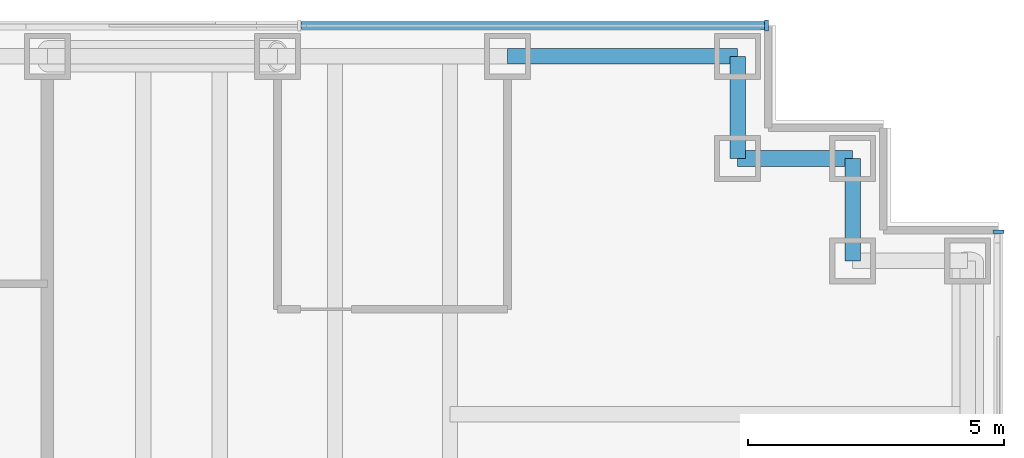
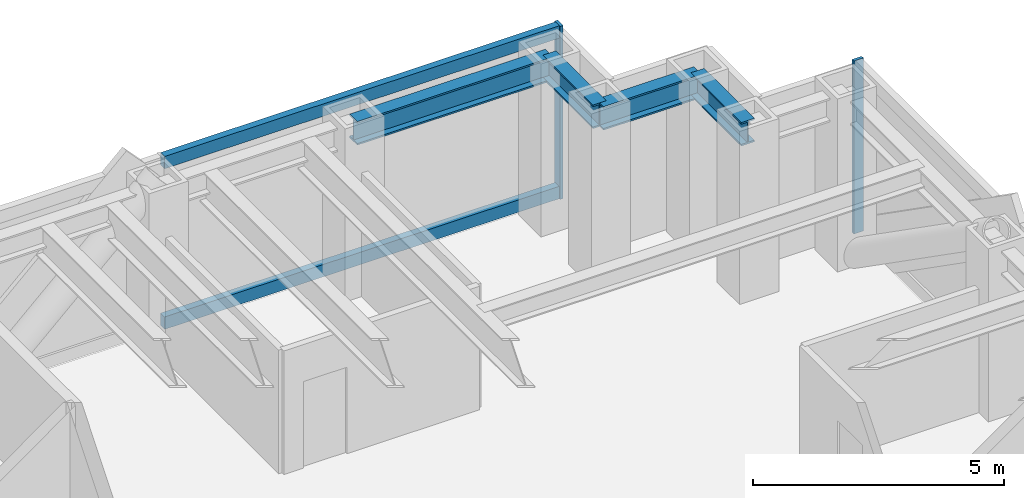
# One storey, part 9 of 15: 4 beams, 4 members, 2 elements without a shape of their own.
"""IFC4 building model written with IfcOpenShell, lengths in metres."""

from ifc_helpers import new_model, si_unit, direction, frame, origin, origin_2d, place, context, subcontext, project, spatial, rectangle, i_section, extrude, material, material_profile, profile_set, type_object, element, aggregate, save


model = new_model("IFC4")

# Units and contexts
model_context = context("Model", 3, precision=1e-05, world=origin(), true_north=direction((0.0, 1.0)))
body_context = subcontext(model_context, "Body", "Model", "MODEL_VIEW")
ifc_project = project(units=[si_unit("LENGTHUNIT", "METRE"), si_unit("AREAUNIT", "SQUARE_METRE"), si_unit("VOLUMEUNIT", "CUBIC_METRE"), si_unit("PLANEANGLEUNIT", "RADIAN"), si_unit("MASSUNIT", "GRAM", prefix="KILO")], contexts=[model_context])

# Site, building, storey
site_placement = place(None, origin())
site = spatial("IfcSite", under=ifc_project, at=site_placement, CompositionType="ELEMENT")
building_placement = place(site_placement, origin())
building = spatial("IfcBuilding", under=site, at=building_placement, Name="Rheinbord Bourse Tower", CompositionType="ELEMENT")
storey_placement = place(building_placement, frame((0.0, 0.0, 142.5)))
storey = spatial("IfcBuildingStorey", under=building, at=storey_placement, Name="L31", CompositionType="ELEMENT", Elevation=142.5)

# Curtain wall, member
ifc_material_1 = material(Name="Dark glass and black aluminium", Category="aluminium")
curtain_wall_type = type_object("IfcCurtainWallType", Name="CW2 DARK GLASS CURTAIN WALL", PredefinedType="USERDEFINED", material=ifc_material_1)
curtain_wall_1_placement = place(storey_placement, origin())
curtain_wall_1 = element("IfcCurtainWall", 1, at=curtain_wall_1_placement, inside=storey, type_object=curtain_wall_type, Name="Curtain wall CW2 E L31", ObjectType="UNITISED CURTAIN WALL", PredefinedType="USERDEFINED")
ifc_material_2 = material(Name="Black anodised aluminium", Category="aluminium")
ifc_material_profile_1 = material_profile(ifc_material_2, rectangle(XDim=0.219970703125, YDim=0.070068359375, at=origin_2d()), Name="CW2 MULLION 70x220")
ifc_profile_set_1 = profile_set([ifc_material_profile_1], Name="Black anodised aluminium")
member_type_1 = type_object("IfcMemberType", Name="CW2 BLACK MULLION", PredefinedType="MULLION", material=ifc_profile_set_1)
member_1_placement = place(storey_placement, frame((72.60009765625, 42.56494140625, 0.0), z_axis=(0.0, 0.0, 1.0), x_axis=(-1.0, 0.0, 0.0)))
member_1 = element("IfcMember", 2, at=member_1_placement, type_object=member_type_1, Name="CW2 mullion 6", PredefinedType="MULLION", context=body_context, shape_type="SweptSolid", body=[
    extrude(rectangle(XDim=0.219970703125, YDim=0.070068359375, at=origin_2d()), origin(), (0.0, 0.0, 1.0), 4.199951171875),
])
aggregate(curtain_wall_1, [member_1])

# Curtain wall, members
curtain_wall_2_placement = place(storey_placement, origin())
curtain_wall_2 = element("IfcCurtainWall", 3, at=curtain_wall_2_placement, inside=storey, type_object=curtain_wall_type, Name="Curtain wall CW2 N L31", ObjectType="UNITISED CURTAIN WALL", PredefinedType="USERDEFINED")
member_2_placement = place(storey_placement, frame((68.06494140625, 46.60009765625, 0.0), z_axis=(0.0, 0.0, 1.0), x_axis=(0.0, -1.0, 0.0)))
member_2 = element("IfcMember", 4, at=member_2_placement, type_object=member_type_1, Name="CW2 mullion 1", PredefinedType="MULLION", context=body_context, shape_type="SweptSolid", body=[
    extrude(rectangle(XDim=0.219970703125, YDim=0.070068359375, at=origin_2d()), origin(), (0.0, 0.0, 1.0), 4.199951171875),
])
ifc_material_3 = material(Name="Black anodised aluminium", Category="aluminium")
ifc_material_profile_2 = material_profile(ifc_material_3, rectangle(XDim=0.159912109375, YDim=0.300048828125, at=origin_2d()), Name="CW2 TRANSOM 300x160")
ifc_profile_set_2 = profile_set([ifc_material_profile_2], Name="Black anodised aluminium")
member_type_2 = type_object("IfcMemberType", Name="CW2 BLACK TRANSOM", PredefinedType="USERDEFINED", material=ifc_profile_set_2)
member_3_placement = place(storey_placement, frame((68.030029296875, 46.60009765625, 0.14990234375), z_axis=(-1.0, 0.0, 0.0), x_axis=(0.0, -1.0, 0.0)))
member_3 = element("IfcMember", 5, at=member_3_placement, type_object=member_type_2, Name="CW2 transom 1.1", ObjectType="TRANSOM", PredefinedType="USERDEFINED", context=body_context, shape_type="SweptSolid", body=[
    extrude(rectangle(XDim=0.159912109375, YDim=0.300048828125, at=origin_2d()), origin(), (0.0, 0.0, 1.0), 9.06640625),
])
member_4_placement = place(storey_placement, frame((68.030029296875, 46.60009765625, 4.050048828125), z_axis=(-1.0, 0.0, 0.0), x_axis=(0.0, -1.0, 0.0)))
member_4 = element("IfcMember", 6, at=member_4_placement, type_object=member_type_2, Name="CW2 transom 1.2", ObjectType="TRANSOM", PredefinedType="USERDEFINED", context=body_context, shape_type="SweptSolid", body=[
    extrude(rectangle(XDim=0.159912109375, YDim=0.300048828125, at=origin_2d()), origin(), (0.0, 0.0, 1.0), 9.06640625),
])
aggregate(curtain_wall_2, [member_2, member_3, member_4])

# Beams
ifc_material_4 = material(Name="Steel S460", Category="steel")
ifc_material_profile_3 = material_profile(ifc_material_4, i_section(OverallWidth=0.305908203125, OverallDepth=0.572021484375, WebThickness=0.02099609375, FlangeThickness=0.0400390625, at=origin_2d()), Name="HEM 550")
ifc_profile_set_3 = profile_set([ifc_material_profile_3], Name="Steel S460")
beam_type = type_object("IfcBeamType", Name="SPANDREL HEM 550", PredefinedType="SPANDREL", material=ifc_profile_set_3)
beam_1_placement = place(storey_placement, frame((69.75, 42.0, 3.75390625), z_axis=(0.0, 1.0, 0.0), x_axis=(-1.0, 0.0, 0.0)))
element("IfcBeam", 7, at=beam_1_placement, inside=storey, type_object=beam_type, Name="Spandrel NE-B-NE-C under L32", PredefinedType="SPANDREL", context=body_context, shape_type="SweptSolid", body=[
    extrude(i_section(OverallWidth=0.305908203125, OverallDepth=0.572021484375, WebThickness=0.02099609375, FlangeThickness=0.0400390625, at=origin_2d()), origin(), (0.0, 0.0, 1.0), 2.0),
])
beam_2_placement = place(storey_placement, frame((69.75, 44.0, 3.75390625), z_axis=(-1.0, 0.0, 0.0), x_axis=(0.0, -1.0, 0.0)))
element("IfcBeam", 8, at=beam_2_placement, inside=storey, type_object=beam_type, Name="Spandrel NE-C-NE-D under L32", PredefinedType="SPANDREL", context=body_context, shape_type="SweptSolid", body=[
    extrude(i_section(OverallWidth=0.305908203125, OverallDepth=0.572021484375, WebThickness=0.02099609375, FlangeThickness=0.0400390625, at=origin_2d()), origin(), (0.0, 0.0, 1.0), 2.25),
])
beam_3_placement = place(storey_placement, frame((67.5, 44.0, 3.75390625), z_axis=(0.0, 1.0, 0.0), x_axis=(-1.0, 0.0, 0.0)))
element("IfcBeam", 9, at=beam_3_placement, inside=storey, type_object=beam_type, Name="Spandrel NE-D-NE-E under L32", PredefinedType="SPANDREL", context=body_context, shape_type="SweptSolid", body=[
    extrude(i_section(OverallWidth=0.305908203125, OverallDepth=0.572021484375, WebThickness=0.02099609375, FlangeThickness=0.0400390625, at=origin_2d()), origin(), (0.0, 0.0, 1.0), 2.0),
])
beam_4_placement = place(storey_placement, frame((67.5, 46.0, 3.75390625), z_axis=(-1.0, 0.0, 0.0), x_axis=(0.0, -1.0, 0.0)))
element("IfcBeam", 10, at=beam_4_placement, inside=storey, type_object=beam_type, Name="Spandrel NE-E-N-63 under L32", PredefinedType="SPANDREL", context=body_context, shape_type="SweptSolid", body=[
    extrude(i_section(OverallWidth=0.305908203125, OverallDepth=0.572021484375, WebThickness=0.02099609375, FlangeThickness=0.0400390625, at=origin_2d()), origin(), (0.0, 0.0, 1.0), 4.5),
])

save(model, "model.ifc")
